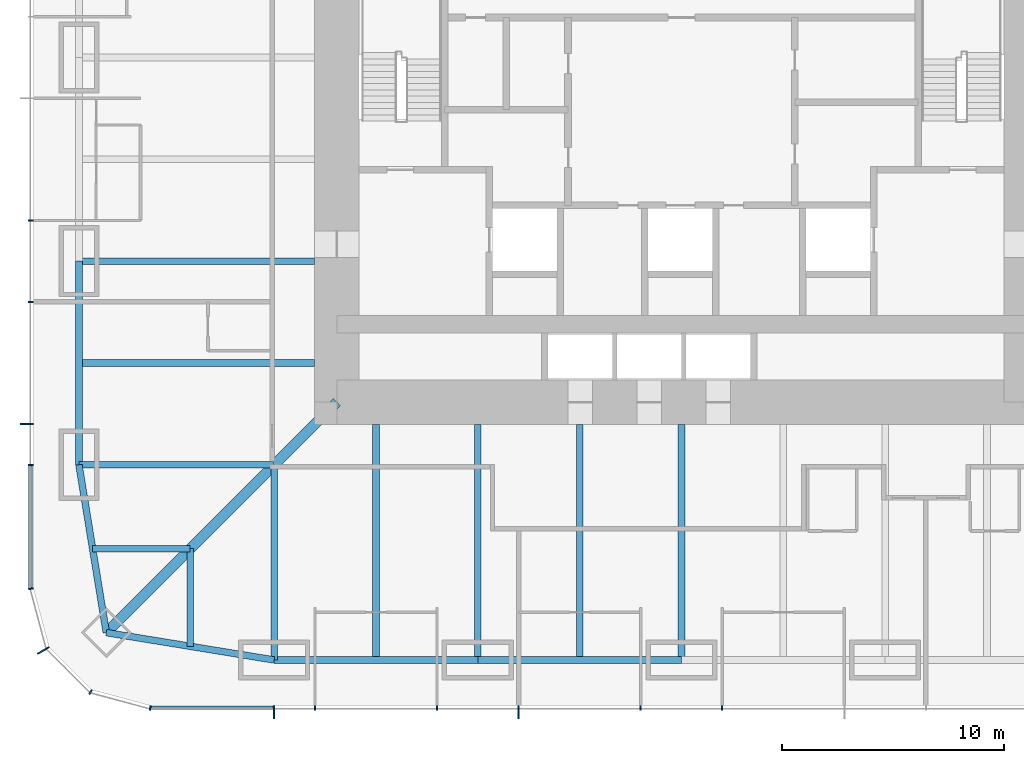
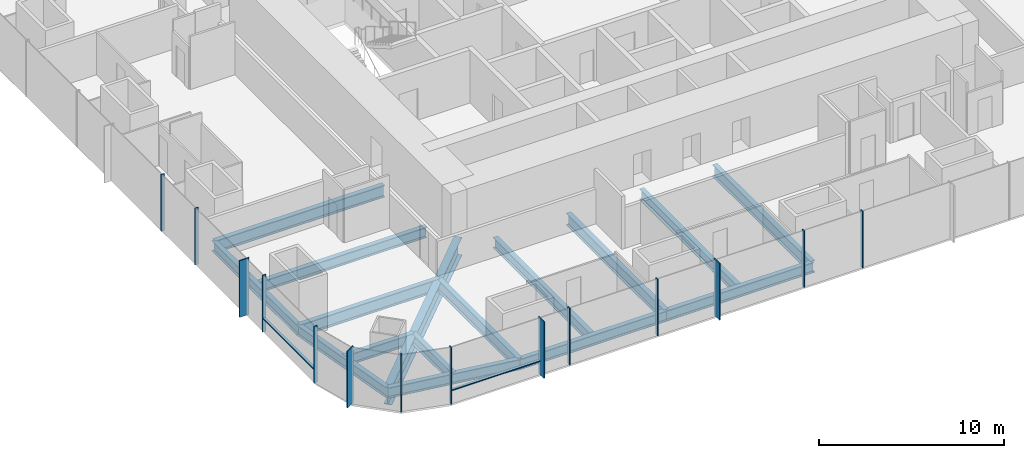
# One storey, part 2 of 13: 16 beams, 16 members, 3 elements without a shape of their own.
"""IFC4 building model written with IfcOpenShell, lengths in metres."""

from ifc_helpers import new_model, si_unit, direction, frame, origin, origin_2d, place, context, subcontext, project, spatial, rectangle, i_section, extrude, material, material_profile, profile_set, type_object, element, aggregate, save


model = new_model("IFC4")

# Units and contexts
model_context = context("Model", 3, precision=1e-05, world=origin(), true_north=direction((0.0, 1.0)))
body_context = subcontext(model_context, "Body", "Model", "MODEL_VIEW")
ifc_project = project(units=[si_unit("LENGTHUNIT", "METRE"), si_unit("AREAUNIT", "SQUARE_METRE"), si_unit("VOLUMEUNIT", "CUBIC_METRE"), si_unit("PLANEANGLEUNIT", "RADIAN"), si_unit("MASSUNIT", "GRAM", prefix="KILO")], contexts=[model_context])

# Site, building, storey
site_placement = place(None, origin())
site = spatial("IfcSite", under=ifc_project, at=site_placement, CompositionType="ELEMENT")
building_placement = place(site_placement, origin())
building = spatial("IfcBuilding", under=site, at=building_placement, Name="Khuree Lantern Residences", CompositionType="ELEMENT")
storey_placement = place(building_placement, frame((0.0, 0.0, 118.5)))
storey = spatial("IfcBuildingStorey", under=building, at=storey_placement, Name="L29", CompositionType="ELEMENT", Elevation=118.5)

# Beams
ifc_material_1 = material(Name="Steel S355", Category="steel")
ifc_material_profile_1 = material_profile(ifc_material_1, i_section(OverallWidth=0.300048828125, OverallDepth=0.68994140625, WebThickness=0.014404296875, FlangeThickness=0.027099609375, FilletRadius=0.027099609375, at=origin_2d()), Name="HE 700 A")
ifc_profile_set_1 = profile_set([ifc_material_profile_1], Name="Steel S355")
beam_type_1 = type_object("IfcBeamType", Name="B-21A SECONDARY BEAM HE 700 A", PredefinedType="BEAM", material=ifc_profile_set_1)
for number, where, z_axis, x_axis, name in (
    (1, (-4.580078125, -27.10009765625, -0.594970703125), (0.0, 1.0, 0.0), (-1.0, 0.0, 0.0), "Secondary beam S4"),
    (2, (-13.739990234375, -27.10009765625, -0.594970703125), (0.0, 1.0, 0.0), (-1.0, 0.0, 0.0), "Secondary beam S5"),
):
    element("IfcBeam", number, at=place(storey_placement, frame(where, z_axis=z_axis, x_axis=x_axis)), inside=storey, type_object=beam_type_1, Name=name, PredefinedType="BEAM", context=body_context, shape_type="SweptSolid", body=[
        extrude(i_section(OverallWidth=0.300048828125, OverallDepth=0.68994140625, WebThickness=0.014404296875, FlangeThickness=0.027099609375, FilletRadius=0.027099609375, at=origin_2d()), origin(), (0.0, 0.0, 1.0), 10.60009765625),
    ])
for number, where, z_axis, x_axis, name in (
    (3, (-22.094970703125, -26.48486328125, -0.594970703125), (0.0, 1.0, 0.0), (-1.0, 0.0, 0.0), "Secondary beam S6"),
    (4, (-26.48486328125, -22.094970703125, -0.594970703125), (1.0, 0.0, 0.0), (0.0, 1.0, 0.0), "Secondary beam W1"),
):
    element("IfcBeam", number, at=place(storey_placement, frame(where, z_axis=z_axis, x_axis=x_axis)), inside=storey, type_object=beam_type_1, Name=name, PredefinedType="BEAM", context=body_context, shape_type="SweptSolid", body=[
        extrude(i_section(OverallWidth=0.300048828125, OverallDepth=0.68994140625, WebThickness=0.014404296875, FlangeThickness=0.027099609375, FilletRadius=0.027099609375, at=origin_2d()), origin(), (0.0, 0.0, 1.0), 4.389892578125),
    ])
beam_1_placement = place(storey_placement, frame((-27.10009765625, -13.739990234375, -0.594970703125), z_axis=(1.0, 0.0, 0.0), x_axis=(0.0, 1.0, 0.0)))
element("IfcBeam", 5, at=beam_1_placement, inside=storey, type_object=beam_type_1, Name="Secondary beam W2", PredefinedType="BEAM", context=body_context, shape_type="SweptSolid", body=[
    extrude(i_section(OverallWidth=0.300048828125, OverallDepth=0.68994140625, WebThickness=0.014404296875, FlangeThickness=0.027099609375, FilletRadius=0.027099609375, at=origin_2d()), origin(), (0.0, 0.0, 1.0), 10.60009765625),
])
ifc_material_profile_2 = material_profile(ifc_material_1, i_section(OverallWidth=0.300048828125, OverallDepth=0.68994140625, WebThickness=0.014404296875, FlangeThickness=0.027099609375, FilletRadius=0.027099609375, at=origin_2d()), Name="HE 700 A")
ifc_profile_set_2 = profile_set([ifc_material_profile_2], Name="Steel S355")
beam_type_2 = type_object("IfcBeamType", Name="E-21 SPANDREL BEAM HE 700 A", PredefinedType="SPANDREL", material=ifc_profile_set_2)
beam_2_placement = place(storey_placement, frame((0.0, -27.10009765625, -0.594970703125), z_axis=(-1.0, 0.0, 0.0), x_axis=(0.0, -1.0, 0.0)))
element("IfcBeam", 6, at=beam_2_placement, inside=storey, type_object=beam_type_2, Name="Spandrel beam S4", PredefinedType="SPANDREL", context=body_context, shape_type="SweptSolid", body=[
    extrude(i_section(OverallWidth=0.300048828125, OverallDepth=0.68994140625, WebThickness=0.014404296875, FlangeThickness=0.027099609375, FilletRadius=0.027099609375, at=origin_2d()), origin(), (0.0, 0.0, 1.0), 9.159912109375),
])
beam_3_placement = place(storey_placement, frame((-9.159912109375, -27.10009765625, -0.594970703125), z_axis=(-1.0, 0.0, 0.0), x_axis=(0.0, -1.0, 0.0)))
element("IfcBeam", 7, at=beam_3_placement, inside=storey, type_object=beam_type_2, Name="Spandrel beam S5", PredefinedType="SPANDREL", context=body_context, shape_type="SweptSolid", body=[
    extrude(i_section(OverallWidth=0.300048828125, OverallDepth=0.68994140625, WebThickness=0.014404296875, FlangeThickness=0.027099609375, FilletRadius=0.027099609375, at=origin_2d()), origin(), (0.0, 0.0, 1.0), 9.16015625),
])
for number, where, z_axis, x_axis, name in (
    (8, (-18.320068359375, -27.10009765625, -0.594970703125), (-0.986982656839, 0.160826723833, 0.0), (-0.160826723833, -0.986982656839, 0.0), "Spandrel beam S6"),
    (9, (-25.869873046875, -25.869873046875, -0.594970703125), (-0.160826723833, 0.986982656839, 0.0), (-0.986982656839, -0.160826723833, 0.0), "Spandrel beam W1"),
):
    element("IfcBeam", number, at=place(storey_placement, frame(where, z_axis=z_axis, x_axis=x_axis)), inside=storey, type_object=beam_type_2, Name=name, PredefinedType="SPANDREL", context=body_context, shape_type="SweptSolid", body=[
        extrude(i_section(OverallWidth=0.300048828125, OverallDepth=0.68994140625, WebThickness=0.014404296875, FlangeThickness=0.027099609375, FilletRadius=0.027099609375, at=origin_2d()), origin(), (0.0, 0.0, 1.0), 7.6494140625),
    ])
beam_4_placement = place(storey_placement, frame((-27.10009765625, -18.320068359375, -0.594970703125), z_axis=(0.0, 1.0, 0.0), x_axis=(-1.0, 0.0, 0.0)))
element("IfcBeam", 10, at=beam_4_placement, inside=storey, type_object=beam_type_2, Name="Spandrel beam W2", PredefinedType="SPANDREL", context=body_context, shape_type="SweptSolid", body=[
    extrude(i_section(OverallWidth=0.300048828125, OverallDepth=0.68994140625, WebThickness=0.014404296875, FlangeThickness=0.027099609375, FilletRadius=0.027099609375, at=origin_2d()), origin(), (0.0, 0.0, 1.0), 9.16015625),
])

# Curtain wall, member
ifc_material_2 = material(Name="Bronze anodised aluminium", Category="aluminium")
curtain_wall_type_1 = type_object("IfcCurtainWallType", Name="CW-T1 TOWER FACE CURTAIN WALL", PredefinedType="USERDEFINED", material=ifc_material_2)
curtain_wall_1_placement = place(storey_placement, origin())
curtain_wall_1 = element("IfcCurtainWall", 11, at=curtain_wall_1_placement, inside=storey, type_object=curtain_wall_type_1, Name="L29 WEST FACE CURTAIN WALL", ObjectType="Stick-built curtain wall", PredefinedType="USERDEFINED")
ifc_material_profile_3 = material_profile(ifc_material_2, rectangle(XDim=0.06494140625, YDim=0.60009765625, at=origin_2d()), Name="F1 65X600")
ifc_profile_set_3 = profile_set([ifc_material_profile_3], Name="Bronze anodised aluminium")
member_type_1 = type_object("IfcMemberType", Name="F1 BRONZE FIN MULLION TOWER 65X600", PredefinedType="MULLION", material=ifc_profile_set_3)
member_1_placement = place(storey_placement, frame((-29.449951171875, -16.488037109375, 0.0), z_axis=(0.0, 0.0, 1.0), x_axis=(0.0, -1.0, 0.0)))
member_1 = element("IfcMember", 12, at=member_1_placement, type_object=member_type_1, Name="L29 WEST FACE FIN MULLION 41", PredefinedType="MULLION", context=body_context, shape_type="SweptSolid", body=[
    extrude(rectangle(XDim=0.06494140625, YDim=0.60009765625, at=origin_2d()), origin(), (0.0, 0.0, 1.0), 3.75),
])

curtain_wall_type_2 = type_object("IfcCurtainWallType", Name="CW-T2 TOWER CORNER CURTAIN WALL", PredefinedType="USERDEFINED", material=ifc_material_2)
curtain_wall_2_placement = place(storey_placement, origin())
curtain_wall_2 = element("IfcCurtainWall", 13, at=curtain_wall_2_placement, inside=storey, type_object=curtain_wall_type_2, Name="L29 SOUTH-WEST CORNER CURTAIN WALL", ObjectType="Faceted corner curtain wall", PredefinedType="USERDEFINED")
member_2_placement = place(storey_placement, frame((-28.70654296875, -26.675048828125, 0.0), z_axis=(0.0, 0.0, 1.0), x_axis=(0.500000026995, -0.866025388199, 0.0)))
member_2 = element("IfcMember", 14, at=member_2_placement, type_object=member_type_1, Name="L29 SOUTH-WEST CORNER FIN MULLION 44", PredefinedType="MULLION", context=body_context, shape_type="SweptSolid", body=[
    extrude(rectangle(XDim=0.06494140625, YDim=0.60009765625, at=origin_2d()), origin(), (0.0, 0.0, 1.0), 3.75),
])

# Curtain wall, members
curtain_wall_3_placement = place(storey_placement, origin())
curtain_wall_3 = element("IfcCurtainWall", 15, at=curtain_wall_3_placement, inside=storey, type_object=curtain_wall_type_1, Name="L29 SOUTH FACE CURTAIN WALL", ObjectType="Stick-built curtain wall", PredefinedType="USERDEFINED")
member_3_placement = place(storey_placement, frame((-18.320068359375, -29.449951171875, 0.0), z_axis=(0.0, 0.0, 1.0), x_axis=(1.0, 0.0, 0.0)))
member_3 = element("IfcMember", 16, at=member_3_placement, type_object=member_type_1, Name="L29 SOUTH FACE FIN MULLION 47", PredefinedType="MULLION", context=body_context, shape_type="SweptSolid", body=[
    extrude(rectangle(XDim=0.06494140625, YDim=0.60009765625, at=origin_2d()), origin(), (0.0, 0.0, 1.0), 3.75),
])
member_4_placement = place(storey_placement, frame((-7.327880859375, -29.449951171875, 0.0), z_axis=(0.0, 0.0, 1.0), x_axis=(1.0, 0.0, 0.0)))
member_4 = element("IfcMember", 17, at=member_4_placement, type_object=member_type_1, Name="L29 SOUTH FACE FIN MULLION 50", PredefinedType="MULLION", context=body_context, shape_type="SweptSolid", body=[
    extrude(rectangle(XDim=0.06494140625, YDim=0.60009765625, at=origin_2d()), origin(), (0.0, 0.0, 1.0), 3.75),
])

# Beams
ifc_material_profile_4 = material_profile(ifc_material_1, i_section(OverallWidth=0.300048828125, OverallDepth=0.800048828125, WebThickness=0.017578125, FlangeThickness=0.032958984375, FilletRadius=0.030029296875, at=origin_2d()), Name="HE 800 B")
ifc_profile_set_4 = profile_set([ifc_material_profile_4], Name="Steel S355")
beam_type_3 = type_object("IfcBeamType", Name="G-21 GIRDER HE 800 B", PredefinedType="BEAM", material=ifc_profile_set_4)
for number, where, z_axis, x_axis, name in (
    (18, (0.0, -27.10009765625, -0.64990234375), (0.0, 1.0, 0.0), (-1.0, 0.0, 0.0), "Girder S3"),
    (19, (-9.159912109375, -27.10009765625, -0.64990234375), (0.0, 1.0, 0.0), (-1.0, 0.0, 0.0), "Girder S4"),
):
    element("IfcBeam", number, at=place(storey_placement, frame(where, z_axis=z_axis, x_axis=x_axis)), inside=storey, type_object=beam_type_3, Name=name, PredefinedType="BEAM", context=body_context, shape_type="SweptSolid", body=[
        extrude(i_section(OverallWidth=0.300048828125, OverallDepth=0.800048828125, WebThickness=0.017578125, FlangeThickness=0.032958984375, FilletRadius=0.030029296875, at=origin_2d()), origin(), (0.0, 0.0, 1.0), 10.60009765625),
    ])
for number, where, z_axis, x_axis, name in (
    (20, (-18.320068359375, -27.10009765625, -0.64990234375), (0.0, 1.0, 0.0), (-1.0, 0.0, 0.0), "Girder S5"),
    (21, (-27.10009765625, -18.320068359375, -0.64990234375), (1.0, 0.0, 0.0), (0.0, 1.0, 0.0), "Girder W1"),
):
    element("IfcBeam", number, at=place(storey_placement, frame(where, z_axis=z_axis, x_axis=x_axis)), inside=storey, type_object=beam_type_3, Name=name, PredefinedType="BEAM", context=body_context, shape_type="SweptSolid", body=[
        extrude(i_section(OverallWidth=0.300048828125, OverallDepth=0.800048828125, WebThickness=0.017578125, FlangeThickness=0.032958984375, FilletRadius=0.030029296875, at=origin_2d()), origin(), (0.0, 0.0, 1.0), 8.780029296875),
    ])
beam_5_placement = place(storey_placement, frame((-27.10009765625, -9.159912109375, -0.64990234375), z_axis=(1.0, 0.0, 0.0), x_axis=(0.0, 1.0, 0.0)))
element("IfcBeam", 22, at=beam_5_placement, inside=storey, type_object=beam_type_3, Name="Girder W2", PredefinedType="BEAM", context=body_context, shape_type="SweptSolid", body=[
    extrude(i_section(OverallWidth=0.300048828125, OverallDepth=0.800048828125, WebThickness=0.017578125, FlangeThickness=0.032958984375, FilletRadius=0.030029296875, at=origin_2d()), origin(), (0.0, 0.0, 1.0), 10.60009765625),
])
ifc_material_profile_5 = material_profile(ifc_material_1, i_section(OverallWidth=0.449951171875, OverallDepth=1.199951171875, WebThickness=0.02490234375, FlangeThickness=0.044921875, at=origin_2d()), Name="WELDED I 1200X450X25X45")
ifc_profile_set_5 = profile_set([ifc_material_profile_5], Name="Steel S355")
beam_type_4 = type_object("IfcBeamType", Name="GD-21 CORNER GIRDER WELDED I 1200X450X25X45", PredefinedType="BEAM", material=ifc_profile_set_5)
beam_6_placement = place(storey_placement, frame((-25.869873046875, -25.869873046875, -0.85009765625), z_axis=(0.707106781187, 0.707106781187, 0.0), x_axis=(-0.707106781187, 0.707106781187, 0.0)))
element("IfcBeam", 23, at=beam_6_placement, inside=storey, type_object=beam_type_4, Name="Corner girder SW", PredefinedType="BEAM", context=body_context, shape_type="SweptSolid", body=[
    extrude(i_section(OverallWidth=0.449951171875, OverallDepth=1.199951171875, WebThickness=0.02490234375, FlangeThickness=0.044921875, at=origin_2d()), origin(), (0.0, 0.0, 1.0), 14.665283203125),
])

# Member
ifc_material_profile_6 = material_profile(ifc_material_2, rectangle(XDim=0.06494140625, YDim=0.219970703125, at=origin_2d()), Name="M1 65X220")
ifc_profile_set_6 = profile_set([ifc_material_profile_6], Name="Bronze anodised aluminium")
member_type_2 = type_object("IfcMemberType", Name="M1 BRONZE MULLION TOWER 65X220", PredefinedType="MULLION", material=ifc_profile_set_6)
member_5_placement = place(storey_placement, frame((-29.260009765625, -7.327880859375, 0.0), z_axis=(0.0, 0.0, 1.0), x_axis=(0.0, -1.0, 0.0)))
member_5 = element("IfcMember", 24, at=member_5_placement, type_object=member_type_2, Name="L29 WEST FACE MULLION 39", PredefinedType="MULLION", context=body_context, shape_type="SweptSolid", body=[
    extrude(rectangle(XDim=0.06494140625, YDim=0.219970703125, at=origin_2d()), origin(), (0.0, 0.0, 1.0), 3.75),
])

member_6_placement = place(storey_placement, frame((-29.260009765625, -10.991943359375, 0.0), z_axis=(0.0, 0.0, 1.0), x_axis=(0.0, -1.0, 0.0)))
member_6 = element("IfcMember", 25, at=member_6_placement, type_object=member_type_2, Name="L29 WEST FACE MULLION 40", PredefinedType="MULLION", context=body_context, shape_type="SweptSolid", body=[
    extrude(rectangle(XDim=0.06494140625, YDim=0.219970703125, at=origin_2d()), origin(), (0.0, 0.0, 1.0), 3.75),
])

member_7_placement = place(storey_placement, frame((-29.260009765625, -18.320068359375, 0.0), z_axis=(0.0, 0.0, 1.0), x_axis=(0.0, -1.0, 0.0)))
member_7 = element("IfcMember", 26, at=member_7_placement, type_object=member_type_2, Name="L29 WEST FACE MULLION 42", PredefinedType="MULLION", context=body_context, shape_type="SweptSolid", body=[
    extrude(rectangle(XDim=0.06494140625, YDim=0.219970703125, at=origin_2d()), origin(), (0.0, 0.0, 1.0), 3.75),
])

member_8_placement = place(storey_placement, frame((-29.26171875, -23.89501953125, 0.0), z_axis=(0.0, 0.0, 1.0), x_axis=(0.130526223125, -0.991444857305, 0.0)))
member_8 = element("IfcMember", 27, at=member_8_placement, type_object=member_type_2, Name="L29 SOUTH-WEST CORNER MULLION 43", PredefinedType="MULLION", context=body_context, shape_type="SweptSolid", body=[
    extrude(rectangle(XDim=0.06494140625, YDim=0.219970703125, at=origin_2d()), origin(), (0.0, 0.0, 1.0), 3.75),
])

member_9_placement = place(storey_placement, frame((-26.580078125, -28.5419921875, 0.0), z_axis=(0.0, 0.0, 1.0), x_axis=(0.866025388199, -0.500000026995, 0.0)))
member_9 = element("IfcMember", 28, at=member_9_placement, type_object=member_type_2, Name="L29 SOUTH-WEST CORNER MULLION 45", PredefinedType="MULLION", context=body_context, shape_type="SweptSolid", body=[
    extrude(rectangle(XDim=0.06494140625, YDim=0.219970703125, at=origin_2d()), origin(), (0.0, 0.0, 1.0), 3.75),
])

aggregate(curtain_wall_2, [member_8, member_2, member_9])

member_10_placement = place(storey_placement, frame((-23.89501953125, -29.26171875, 0.0), z_axis=(0.0, 0.0, 1.0), x_axis=(0.991444857305, -0.130526223125, 0.0)))
member_10 = element("IfcMember", 29, at=member_10_placement, type_object=member_type_2, Name="L29 SOUTH FACE MULLION 46", PredefinedType="MULLION", context=body_context, shape_type="SweptSolid", body=[
    extrude(rectangle(XDim=0.06494140625, YDim=0.219970703125, at=origin_2d()), origin(), (0.0, 0.0, 1.0), 3.75),
])

member_11_placement = place(storey_placement, frame((-16.488037109375, -29.260009765625, 0.0), z_axis=(0.0, 0.0, 1.0), x_axis=(1.0, 0.0, 0.0)))
member_11 = element("IfcMember", 30, at=member_11_placement, type_object=member_type_2, Name="L29 SOUTH FACE MULLION 48", PredefinedType="MULLION", context=body_context, shape_type="SweptSolid", body=[
    extrude(rectangle(XDim=0.06494140625, YDim=0.219970703125, at=origin_2d()), origin(), (0.0, 0.0, 1.0), 3.75),
])

member_12_placement = place(storey_placement, frame((-10.991943359375, -29.260009765625, 0.0), z_axis=(0.0, 0.0, 1.0), x_axis=(1.0, 0.0, 0.0)))
member_12 = element("IfcMember", 31, at=member_12_placement, type_object=member_type_2, Name="L29 SOUTH FACE MULLION 49", PredefinedType="MULLION", context=body_context, shape_type="SweptSolid", body=[
    extrude(rectangle(XDim=0.06494140625, YDim=0.219970703125, at=origin_2d()), origin(), (0.0, 0.0, 1.0), 3.75),
])

member_13_placement = place(storey_placement, frame((-1.83203125, -29.260009765625, 0.0), z_axis=(0.0, 0.0, 1.0), x_axis=(1.0, 0.0, 0.0)))
member_13 = element("IfcMember", 32, at=member_13_placement, type_object=member_type_2, Name="L29 SOUTH FACE MULLION 51", PredefinedType="MULLION", context=body_context, shape_type="SweptSolid", body=[
    extrude(rectangle(XDim=0.06494140625, YDim=0.219970703125, at=origin_2d()), origin(), (0.0, 0.0, 1.0), 3.75),
])

member_14_placement = place(storey_placement, frame((1.83203125, -29.260009765625, 0.0), z_axis=(0.0, 0.0, 1.0), x_axis=(1.0, 0.0, 0.0)))
member_14 = element("IfcMember", 33, at=member_14_placement, type_object=member_type_2, Name="L29 SOUTH FACE MULLION 52", PredefinedType="MULLION", context=body_context, shape_type="SweptSolid", body=[
    extrude(rectangle(XDim=0.06494140625, YDim=0.219970703125, at=origin_2d()), origin(), (0.0, 0.0, 1.0), 3.75),
])

ifc_material_profile_7 = material_profile(ifc_material_2, rectangle(XDim=0.179931640625, YDim=0.06494140625, at=origin_2d()), Name="T1 180X65")
ifc_profile_set_7 = profile_set([ifc_material_profile_7], Name="Bronze anodised aluminium")
member_type_3 = type_object("IfcMemberType", Name="TRANSOM T1 TOWER 180X65", PredefinedType="USERDEFINED", material=ifc_profile_set_7)
member_15_placement = place(storey_placement, frame((-29.27001953125, -18.3525390625, 0.89990234375), z_axis=(0.0, -1.0, 0.0), x_axis=(1.0, 0.0, 0.0)))
member_15 = element("IfcMember", 34, at=member_15_placement, type_object=member_type_3, Name="L29 WEST FACE TRANSOM 42.1", ObjectType="Transom", PredefinedType="USERDEFINED", context=body_context, shape_type="SweptSolid", body=[
    extrude(rectangle(XDim=0.179931640625, YDim=0.06494140625, at=origin_2d()), origin(), (0.0, 0.0, 1.0), 5.498779296875),
])

aggregate(curtain_wall_1, [member_5, member_6, member_1, member_7, member_15])

member_16_placement = place(storey_placement, frame((-23.851318359375, -29.27001953125, 0.89990234375), z_axis=(1.0, 0.0, 0.0), x_axis=(0.0, 1.0, 0.0)))
member_16 = element("IfcMember", 35, at=member_16_placement, type_object=member_type_3, Name="L29 SOUTH FACE TRANSOM 46.1", ObjectType="Transom", PredefinedType="USERDEFINED", context=body_context, shape_type="SweptSolid", body=[
    extrude(rectangle(XDim=0.179931640625, YDim=0.06494140625, at=origin_2d()), origin(), (0.0, 0.0, 1.0), 5.498779296875),
])

aggregate(curtain_wall_3, [member_10, member_3, member_11, member_12, member_4, member_13, member_14, member_16])

save(model, "model.ifc")
